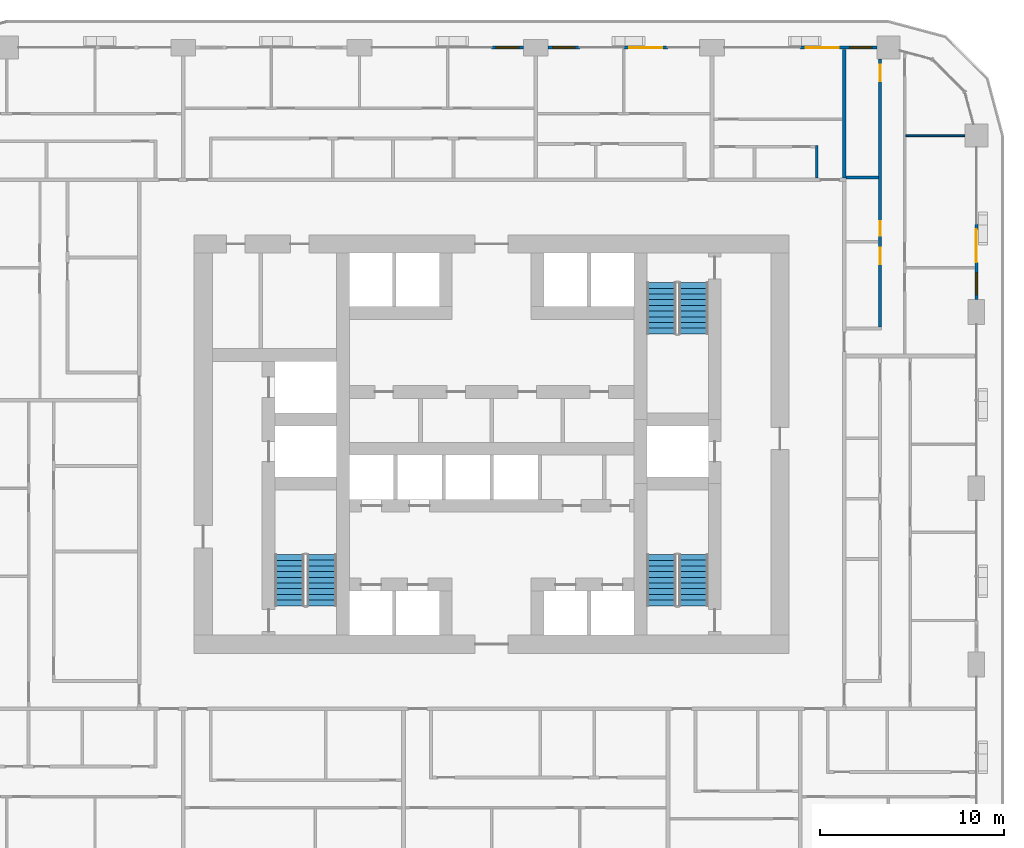
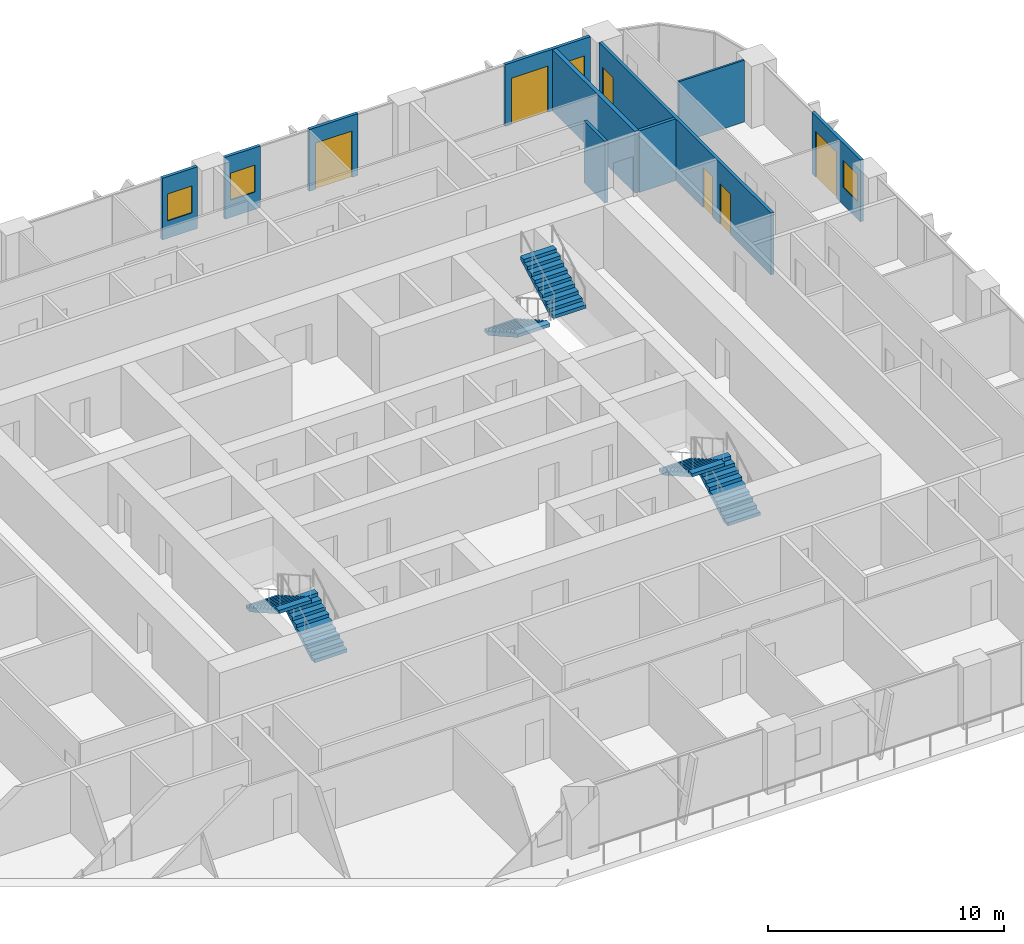
# One storey, part 15 of 21: 10 walls, 6 doors, 6 stair flights, 4 windows, 10 openings, 3 elements without a shape of their own.
"""IFC4 building model written with IfcOpenShell, lengths in metres."""

from ifc_helpers import new_model, si_unit, direction, frame, frame_2d, origin, place, context, subcontext, project, spatial, polyline, rectangle, outline, extrude, material, layer, layer_set, type_object, element, fill, aggregate, save


model = new_model("IFC4")

# Units and contexts
model_context = context("Model", 3, precision=1e-05, world=origin(), true_north=direction((0.0, 1.0)))
body_context = subcontext(model_context, "Body", "Model", "MODEL_VIEW")
ifc_project = project(units=[si_unit("LENGTHUNIT", "METRE"), si_unit("AREAUNIT", "SQUARE_METRE"), si_unit("VOLUMEUNIT", "CUBIC_METRE"), si_unit("PLANEANGLEUNIT", "RADIAN"), si_unit("MASSUNIT", "GRAM", prefix="KILO")], contexts=[model_context])

# Site, building, storey
site_placement = place(None, origin())
site = spatial("IfcSite", under=ifc_project, at=site_placement, CompositionType="ELEMENT")
building_placement = place(site_placement, origin())
building = spatial("IfcBuilding", under=site, at=building_placement, Name="Madar Terraces", CompositionType="ELEMENT")
storey_placement = place(building_placement, frame((0.0, 0.0, 36.39990234375)))
storey = spatial("IfcBuildingStorey", under=building, at=storey_placement, Name="L08", CompositionType="ELEMENT", Elevation=36.39990234375)

# Wall, openings, door, window
ifc_material_1 = material(Name="Aluminium composite panel, black, over insulated backing", Category="aluminium")
ifc_layer_1 = layer(ifc_material_1, 0.14990234375)
ifc_layer_set_1 = layer_set([ifc_layer_1], Name="Facade bay panel 150")
wall_type_1 = type_object("IfcWallType", Name="Facade bay panel 150", PredefinedType="SOLIDWALL", material=ifc_layer_set_1)
wall_1_placement = place(storey_placement, frame((57.60009765625, 34.27490234375, 0.0), z_axis=(0.0, 0.0, 1.0), x_axis=(0.0, 1.0, 0.0)))
wall_1 = element("IfcWall", 1, at=wall_1_placement, inside=storey, type_object=wall_type_1, Name="Facade bay panel", PredefinedType="SOLIDWALL", context=body_context, shape_type="SweptSolid", body=[
    extrude(rectangle(XDim=4.125, YDim=0.14990234375, at=frame_2d((2.0625, 0.0))), origin(), (0.0, 0.0, 1.0), 3.2001953125),
])
opening_1_placement = place(wall_1_placement, frame((0.262451171875, 0.0, 0.89990234375)))
opening_1 = element("IfcOpeningElement", 2, at=opening_1_placement, cuts=wall_1, Name="Opening W1", PredefinedType="OPENING", context=body_context, shape_type="SweptSolid", body=[
    extrude(rectangle(XDim=1.199951171875, YDim=1.39990234375, at=frame_2d((0.60009765625, 0.699951171875))), frame((0.0, 0.0849609375, 0.0), z_axis=(0.0, -1.0, 0.0), x_axis=(1.0, 0.0, 0.0)), (0.0, 0.0, 1.0), 0.169921875),
])
opening_2_placement = place(wall_1_placement, frame((2.02490234375, 0.0, 0.0)))
opening_2 = element("IfcOpeningElement", 3, at=opening_2_placement, cuts=wall_1, Name="Opening ED1", PredefinedType="OPENING", context=body_context, shape_type="SweptSolid", body=[
    extrude(rectangle(XDim=1.800048828125, YDim=2.39990234375, at=frame_2d((0.89990234375, 1.199951171875))), frame((0.0, 0.0849609375, 0.0), z_axis=(0.0, -1.0, 0.0), x_axis=(1.0, 0.0, 0.0)), (0.0, 0.0, 1.0), 0.169921875),
])
ifc_material_2 = material(Name="Glass, clear, with black aluminium frame", Category="aluminium")
door_type_1 = type_object("IfcDoorType", Name="Balcony and terrace sliding door 1800 x 2400", OperationType="SLIDING_TO_LEFT", PredefinedType="DOOR", material=ifc_material_2)
door_1_placement = place(opening_2_placement, origin())
door_1 = element("IfcDoor", 4, at=door_1_placement, inside=storey, type_object=door_type_1, Name="Balcony door", OperationType="SLIDING_TO_RIGHT", OverallHeight=2.39990234375, OverallWidth=1.800048828125, PredefinedType="DOOR", context=body_context, shape_type="SweptSolid", body=[
    extrude(rectangle(XDim=1.800048828125, YDim=2.39990234375, at=frame_2d((0.89990234375, 1.199951171875))), frame((0.0, 0.02490234375, 0.0), z_axis=(0.0, -1.0, 0.0), x_axis=(1.0, 0.0, 0.0)), (0.0, 0.0, 1.0), 0.050048828125),
])
fill(opening_2, door_1)
ifc_material_3 = material(Name="Glass, clear, with black aluminium frame", Category="aluminium")
window_type = type_object("IfcWindowType", Name="Vent window 1200 x 1400", PartitioningType="SINGLE_PANEL", PredefinedType="WINDOW", material=ifc_material_3)
window_1_placement = place(opening_1_placement, origin())
window_1 = element("IfcWindow", 5, at=window_1_placement, inside=storey, type_object=window_type, Name="Operable vent window", OverallHeight=1.39990234375, OverallWidth=1.199951171875, PartitioningType="SINGLE_PANEL", PredefinedType="WINDOW", context=body_context, shape_type="SweptSolid", body=[
    extrude(rectangle(XDim=1.199951171875, YDim=1.39990234375, at=frame_2d((0.60009765625, 0.699951171875))), frame((0.0, 0.030029296875, 0.0), z_axis=(0.0, -1.0, 0.0), x_axis=(1.0, 0.0, 0.0)), (0.0, 0.0, 1.0), 0.06005859375),
])
fill(opening_1, window_1)

wall_2_placement = place(storey_placement, frame((52.175048828125, 48.0, 0.0), z_axis=(0.0, 0.0, 1.0), x_axis=(-1.0, 0.0, 0.0)))
wall_2 = element("IfcWall", 6, at=wall_2_placement, inside=storey, type_object=wall_type_1, Name="Facade bay panel", PredefinedType="SOLIDWALL", context=body_context, shape_type="SweptSolid", body=[
    extrude(rectangle(XDim=4.175048828125, YDim=0.14990234375, at=frame_2d((2.08740234375, 0.0))), origin(), (0.0, 0.0, 1.0), 3.2001953125),
])
opening_3_placement = place(wall_2_placement, frame((0.28759765625, 0.0, 0.89990234375)))
opening_3 = element("IfcOpeningElement", 7, at=opening_3_placement, cuts=wall_2, Name="Opening W1", PredefinedType="OPENING", context=body_context, shape_type="SweptSolid", body=[
    extrude(rectangle(XDim=1.199951171875, YDim=1.39990234375, at=frame_2d((0.60009765625, 0.699951171875))), frame((0.0, 0.0849609375, 0.0), z_axis=(0.0, -1.0, 0.0), x_axis=(1.0, 0.0, 0.0)), (0.0, 0.0, 1.0), 0.169921875),
])
opening_4_placement = place(wall_2_placement, frame((2.074951171875, 0.0, 0.0)))
opening_4 = element("IfcOpeningElement", 8, at=opening_4_placement, cuts=wall_2, Name="Opening ED1", PredefinedType="OPENING", context=body_context, shape_type="SweptSolid", body=[
    extrude(rectangle(XDim=1.800048828125, YDim=2.39990234375, at=frame_2d((0.89990234375, 1.199951171875))), frame((0.0, 0.0849609375, 0.0), z_axis=(0.0, -1.0, 0.0), x_axis=(1.0, 0.0, 0.0)), (0.0, 0.0, 1.0), 0.169921875),
])
door_2_placement = place(opening_4_placement, origin())
door_2 = element("IfcDoor", 9, at=door_2_placement, inside=storey, type_object=door_type_1, Name="Balcony door", OperationType="SLIDING_TO_LEFT", OverallHeight=2.39990234375, OverallWidth=1.800048828125, PredefinedType="DOOR", context=body_context, shape_type="SweptSolid", body=[
    extrude(rectangle(XDim=1.800048828125, YDim=2.39990234375, at=frame_2d((0.89990234375, 1.199951171875))), frame((0.0, 0.02490234375, 0.0), z_axis=(0.0, -1.0, 0.0), x_axis=(1.0, 0.0, 0.0)), (0.0, 0.0, 1.0), 0.050048828125),
])
fill(opening_4, door_2)
window_2_placement = place(opening_3_placement, origin())
window_2 = element("IfcWindow", 10, at=window_2_placement, inside=storey, type_object=window_type, Name="Operable vent window", OverallHeight=1.39990234375, OverallWidth=1.199951171875, PartitioningType="SINGLE_PANEL", PredefinedType="WINDOW", context=body_context, shape_type="SweptSolid", body=[
    extrude(rectangle(XDim=1.199951171875, YDim=1.39990234375, at=frame_2d((0.60009765625, 0.699951171875))), frame((0.0, 0.030029296875, 0.0), z_axis=(0.0, -1.0, 0.0), x_axis=(1.0, 0.0, 0.0)), (0.0, 0.0, 1.0), 0.06005859375),
])
fill(opening_3, window_2)

# Wall, opening, door
wall_3_placement = place(storey_placement, frame((40.800048828125, 48.0, 0.0), z_axis=(0.0, 0.0, 1.0), x_axis=(-1.0, 0.0, 0.0)))
wall_3 = element("IfcWall", 11, at=wall_3_placement, inside=storey, type_object=wall_type_1, Name="Facade bay panel", PredefinedType="SOLIDWALL", context=body_context, shape_type="SweptSolid", body=[
    extrude(rectangle(XDim=2.400146484375, YDim=0.14990234375, at=frame_2d((1.2001953125, 0.0))), origin(), (0.0, 0.0, 1.0), 3.2001953125),
])
opening_5_placement = place(wall_3_placement, frame((0.300048828125, 0.0, 0.0)))
opening_5 = element("IfcOpeningElement", 12, at=opening_5_placement, cuts=wall_3, Name="Opening ED1", PredefinedType="OPENING", context=body_context, shape_type="SweptSolid", body=[
    extrude(rectangle(XDim=1.800048828125, YDim=2.39990234375, at=frame_2d((0.89990234375, 1.199951171875))), frame((0.0, 0.0849609375, 0.0), z_axis=(0.0, -1.0, 0.0), x_axis=(1.0, 0.0, 0.0)), (0.0, 0.0, 1.0), 0.169921875),
])
door_3_placement = place(opening_5_placement, origin())
door_3 = element("IfcDoor", 13, at=door_3_placement, inside=storey, type_object=door_type_1, Name="Balcony door", OperationType="SLIDING_TO_RIGHT", OverallHeight=2.39990234375, OverallWidth=1.800048828125, PredefinedType="DOOR", context=body_context, shape_type="SweptSolid", body=[
    extrude(rectangle(XDim=1.800048828125, YDim=2.39990234375, at=frame_2d((0.89990234375, 1.199951171875))), frame((0.0, 0.02490234375, 0.0), z_axis=(0.0, -1.0, 0.0), x_axis=(1.0, 0.0, 0.0)), (0.0, 0.0, 1.0), 0.050048828125),
])
fill(opening_5, door_3)

# Wall, opening, window
wall_4_placement = place(storey_placement, frame((36.0, 48.0, 0.0), z_axis=(0.0, 0.0, 1.0), x_axis=(-1.0, 0.0, 0.0)))
wall_4 = element("IfcWall", 14, at=wall_4_placement, inside=storey, type_object=wall_type_1, Name="Facade bay panel", PredefinedType="SOLIDWALL", context=body_context, shape_type="SweptSolid", body=[
    extrude(rectangle(XDim=1.72509765625, YDim=0.14990234375, at=frame_2d((0.862548828125, 0.0))), origin(), (0.0, 0.0, 1.0), 3.2001953125),
])
opening_6_placement = place(wall_4_placement, frame((0.262451171875, 0.0, 0.89990234375)))
opening_6 = element("IfcOpeningElement", 15, at=opening_6_placement, cuts=wall_4, Name="Opening W1", PredefinedType="OPENING", context=body_context, shape_type="SweptSolid", body=[
    extrude(rectangle(XDim=1.199951171875, YDim=1.39990234375, at=frame_2d((0.60009765625, 0.699951171875))), frame((0.0, 0.0849609375, 0.0), z_axis=(0.0, -1.0, 0.0), x_axis=(1.0, 0.0, 0.0)), (0.0, 0.0, 1.0), 0.169921875),
])
window_3_placement = place(opening_6_placement, origin())
window_3 = element("IfcWindow", 16, at=window_3_placement, inside=storey, type_object=window_type, Name="Operable vent window", OverallHeight=1.39990234375, OverallWidth=1.199951171875, PartitioningType="SINGLE_PANEL", PredefinedType="WINDOW", context=body_context, shape_type="SweptSolid", body=[
    extrude(rectangle(XDim=1.199951171875, YDim=1.39990234375, at=frame_2d((0.60009765625, 0.699951171875))), frame((0.0, 0.030029296875, 0.0), z_axis=(0.0, -1.0, 0.0), x_axis=(1.0, 0.0, 0.0)), (0.0, 0.0, 1.0), 0.06005859375),
])
fill(opening_6, window_3)

wall_5_placement = place(storey_placement, frame((32.925048828125, 48.0, 0.0), z_axis=(0.0, 0.0, 1.0), x_axis=(-1.0, 0.0, 0.0)))
wall_5 = element("IfcWall", 17, at=wall_5_placement, inside=storey, type_object=wall_type_1, Name="Facade bay panel", PredefinedType="SOLIDWALL", context=body_context, shape_type="SweptSolid", body=[
    extrude(rectangle(XDim=1.72509765625, YDim=0.14990234375, at=frame_2d((0.862548828125, 0.0))), origin(), (0.0, 0.0, 1.0), 3.2001953125),
])
opening_7_placement = place(wall_5_placement, frame((0.262451171875, 0.0, 0.89990234375)))
opening_7 = element("IfcOpeningElement", 18, at=opening_7_placement, cuts=wall_5, Name="Opening W1", PredefinedType="OPENING", context=body_context, shape_type="SweptSolid", body=[
    extrude(rectangle(XDim=1.199951171875, YDim=1.39990234375, at=frame_2d((0.60009765625, 0.699951171875))), frame((0.0, 0.0849609375, 0.0), z_axis=(0.0, -1.0, 0.0), x_axis=(1.0, 0.0, 0.0)), (0.0, 0.0, 1.0), 0.169921875),
])
window_4_placement = place(opening_7_placement, origin())
window_4 = element("IfcWindow", 19, at=window_4_placement, inside=storey, type_object=window_type, Name="Operable vent window", OverallHeight=1.39990234375, OverallWidth=1.199951171875, PartitioningType="SINGLE_PANEL", PredefinedType="WINDOW", context=body_context, shape_type="SweptSolid", body=[
    extrude(rectangle(XDim=1.199951171875, YDim=1.39990234375, at=frame_2d((0.60009765625, 0.699951171875))), frame((0.0, 0.030029296875, 0.0), z_axis=(0.0, -1.0, 0.0), x_axis=(1.0, 0.0, 0.0)), (0.0, 0.0, 1.0), 0.06005859375),
])
fill(opening_7, window_4)

# Walls
ifc_material_4 = material(Name="Gypsum board on steel studs", Category="steel")
ifc_layer_2 = layer(ifc_material_4, 0.10009765625)
ifc_layer_set_2 = layer_set([ifc_layer_2], Name="Flat partition 100")
wall_type_2 = type_object("IfcWallType", Name="Flat partition 100", PredefinedType="PARTITIONING", material=ifc_layer_set_2)
wall_6_placement = place(storey_placement, frame((53.75, 43.199951171875, 0.0), z_axis=(0.0, 0.0, 1.0), x_axis=(1.0, 0.0, 0.0)))
element("IfcWall", 20, at=wall_6_placement, inside=storey, type_object=wall_type_2, Name="Flat partition 100", PredefinedType="PARTITIONING", context=body_context, shape_type="SweptSolid", body=[
    extrude(rectangle(XDim=3.22509765625, YDim=0.10009765625, at=frame_2d((1.612548828125, 0.0))), origin(), (0.0, 0.0, 1.0), 3.2001953125),
])
ifc_material_5 = material(Name="Lightweight blockwork", Category="masonry")
ifc_layer_3 = layer(ifc_material_5, 0.199951171875)
ifc_layer_set_3 = layer_set([ifc_layer_3], Name="Flat party and entrance wall 200")
wall_type_3 = type_object("IfcWallType", Name="Flat party and entrance wall 200", PredefinedType="PARTITIONING", material=ifc_layer_set_3)
wall_7_placement = place(storey_placement, frame((50.39990234375, 40.89990234375, 0.0), z_axis=(0.0, 0.0, 1.0), x_axis=(0.0, 1.0, 0.0)))
element("IfcWall", 21, at=wall_7_placement, inside=storey, type_object=wall_type_3, Name="Flat party and entrance wall 200", PredefinedType="PARTITIONING", context=body_context, shape_type="SweptSolid", body=[
    extrude(rectangle(XDim=7.0, YDim=0.199951171875, at=frame_2d((3.5, 0.0))), origin(), (0.0, 0.0, 1.0), 3.2001953125),
])
ifc_material_6 = material(Name="Lightweight blockwork", Category="masonry")
ifc_layer_4 = layer(ifc_material_6, 0.14990234375)
ifc_layer_set_4 = layer_set([ifc_layer_4], Name="Flat wet-room partition 150")
wall_type_4 = type_object("IfcWallType", Name="Flat wet-room partition 150", PredefinedType="PARTITIONING", material=ifc_layer_set_4)
wall_8_placement = place(storey_placement, frame((50.5, 40.919189453125, 0.0), z_axis=(0.0, 0.0, 1.0), x_axis=(1.0, 0.0, 0.0)))
element("IfcWall", 22, at=wall_8_placement, inside=storey, type_object=wall_type_4, Name="Flat wet-room partition 150", PredefinedType="PARTITIONING", context=body_context, shape_type="SweptSolid", body=[
    extrude(rectangle(XDim=1.77490234375, YDim=0.14990234375, at=frame_2d((0.887451171875, 0.0))), origin(), (0.0, 0.0, 1.0), 3.2001953125),
])

# Wall, openings, doors
wall_9_placement = place(storey_placement, frame((52.35009765625, 32.77490234375, 0.0), z_axis=(0.0, 0.0, 1.0), x_axis=(0.0, 1.0, 0.0)))
wall_9 = element("IfcWall", 23, at=wall_9_placement, inside=storey, type_object=wall_type_4, Name="Flat wet-room partition 150", PredefinedType="PARTITIONING", context=body_context, shape_type="SweptSolid", body=[
    extrude(rectangle(XDim=14.60009765625, YDim=0.14990234375, at=frame_2d((7.300048828125, 0.0))), origin(), (0.0, 0.0, 1.0), 3.2001953125),
])
opening_8_placement = place(wall_9_placement, frame((3.4287109375, 0.0, 0.0)))
opening_8 = element("IfcOpeningElement", 24, at=opening_8_placement, cuts=wall_9, Name="Opening D5", PredefinedType="OPENING", context=body_context, shape_type="SweptSolid", body=[
    extrude(rectangle(XDim=0.89990234375, YDim=2.10009765625, at=frame_2d((0.449951171875, 1.050048828125))), frame((0.0, 0.0849609375, 0.0), z_axis=(0.0, -1.0, 0.0), x_axis=(1.0, 0.0, 0.0)), (0.0, 0.0, 1.0), 0.169921875),
])
opening_9_placement = place(wall_9_placement, frame((4.978759765625, 0.0, 0.0)))
opening_9 = element("IfcOpeningElement", 25, at=opening_9_placement, cuts=wall_9, Name="Opening D4", PredefinedType="OPENING", context=body_context, shape_type="SweptSolid", body=[
    extrude(rectangle(XDim=0.800048828125, YDim=2.10009765625, at=frame_2d((0.39990234375, 1.050048828125))), frame((0.0, 0.0849609375, 0.0), z_axis=(0.0, -1.0, 0.0), x_axis=(1.0, 0.0, 0.0)), (0.0, 0.0, 1.0), 0.169921875),
])
opening_10_placement = place(wall_9_placement, frame((13.39990234375, 0.0, 0.0)))
opening_10 = element("IfcOpeningElement", 26, at=opening_10_placement, cuts=wall_9, Name="Opening D2", PredefinedType="OPENING", context=body_context, shape_type="SweptSolid", body=[
    extrude(rectangle(XDim=0.89990234375, YDim=2.10009765625, at=frame_2d((0.449951171875, 1.050048828125))), frame((0.0, 0.0849609375, 0.0), z_axis=(0.0, -1.0, 0.0), x_axis=(1.0, 0.0, 0.0)), (0.0, 0.0, 1.0), 0.169921875),
])
ifc_material_7 = material(Name="Timber door leaf", Category="wood")
door_type_2 = type_object("IfcDoorType", Name="Flat accessible bathroom door 900", OperationType="NOTDEFINED", PredefinedType="DOOR", material=ifc_material_7)
door_4_placement = place(opening_8_placement, origin())
door_4 = element("IfcDoor", 27, at=door_4_placement, inside=storey, type_object=door_type_2, Name="Flat accessible bathroom door 900", OperationType="SINGLE_SWING_RIGHT", OverallHeight=2.10009765625, OverallWidth=0.89990234375, PredefinedType="DOOR", context=body_context, shape_type="SweptSolid", body=[
    extrude(rectangle(XDim=0.89990234375, YDim=2.10009765625, at=frame_2d((0.449951171875, 1.050048828125))), frame((0.0, 0.02490234375, 0.0), z_axis=(0.0, -1.0, 0.0), x_axis=(1.0, 0.0, 0.0)), (0.0, 0.0, 1.0), 0.050048828125),
])
fill(opening_8, door_4)
ifc_material_8 = material(Name="Timber door leaf", Category="wood")
door_type_3 = type_object("IfcDoorType", Name="Flat bathroom door 800", OperationType="NOTDEFINED", PredefinedType="DOOR", material=ifc_material_8)
door_5_placement = place(opening_9_placement, origin())
door_5 = element("IfcDoor", 28, at=door_5_placement, inside=storey, type_object=door_type_3, Name="Flat bathroom door 800", OperationType="SINGLE_SWING_LEFT", OverallHeight=2.10009765625, OverallWidth=0.800048828125, PredefinedType="DOOR", context=body_context, shape_type="SweptSolid", body=[
    extrude(rectangle(XDim=0.800048828125, YDim=2.10009765625, at=frame_2d((0.39990234375, 1.050048828125))), frame((0.0, 0.02490234375, 0.0), z_axis=(0.0, -1.0, 0.0), x_axis=(1.0, 0.0, 0.0)), (0.0, 0.0, 1.0), 0.050048828125),
])
fill(opening_9, door_5)
ifc_material_9 = material(Name="Timber door leaf", Category="wood")
door_type_4 = type_object("IfcDoorType", Name="Flat room door 900", OperationType="NOTDEFINED", PredefinedType="DOOR", material=ifc_material_9)
door_6_placement = place(opening_10_placement, origin())
door_6 = element("IfcDoor", 29, at=door_6_placement, inside=storey, type_object=door_type_4, Name="Flat room door 900", OperationType="SINGLE_SWING_RIGHT", OverallHeight=2.10009765625, OverallWidth=0.89990234375, PredefinedType="DOOR", context=body_context, shape_type="SweptSolid", body=[
    extrude(rectangle(XDim=0.89990234375, YDim=2.10009765625, at=frame_2d((0.449951171875, 1.050048828125))), frame((0.0, 0.02490234375, 0.0), z_axis=(0.0, -1.0, 0.0), x_axis=(1.0, 0.0, 0.0)), (0.0, 0.0, 1.0), 0.050048828125),
])
fill(opening_10, door_6)

# Wall
wall_10_placement = place(storey_placement, frame((48.89990234375, 40.89990234375, 0.0), z_axis=(0.0, 0.0, 1.0), x_axis=(0.0, 1.0, 0.0)))
element("IfcWall", 30, at=wall_10_placement, inside=storey, type_object=wall_type_4, Name="Flat wet-room partition 150", PredefinedType="PARTITIONING", context=body_context, shape_type="SweptSolid", body=[
    extrude(rectangle(XDim=1.775146484375, YDim=0.14990234375, at=frame_2d((0.8876953125, 0.0))), origin(), (0.0, 0.0, 1.0), 3.2001953125),
])

# Stair, stair flights
ifc_material_10 = material(Name="Concrete C50/60", Category="concrete")
stair_type_1 = type_object("IfcStairType", Name="Stair ST1 protected exit", PredefinedType="HALF_TURN_STAIR", material=ifc_material_10)
stair_1_placement = place(storey_placement, origin())
stair_1 = element("IfcStair", 31, at=stair_1_placement, inside=storey, type_object=stair_type_1, Name="L08 Protected Exit Stair ST1", PredefinedType="HALF_TURN_STAIR")
ifc_material_11 = material(Name="Concrete C50/60", Category="concrete")
stair_flight_type_1 = type_object("IfcStairFlightType", Name="Stair flight ST1-F4, 1600 wide, 10 risers", PredefinedType="STRAIGHT", material=ifc_material_11)
stair_flight_1_placement = place(storey_placement, frame((21.949951171875, 17.60009765625, 0.0), z_axis=(0.0, 0.0, 1.0), x_axis=(0.0, 1.0, 0.0)))
stair_flight_1 = element("IfcStairFlight", 32, at=stair_flight_1_placement, type_object=stair_flight_type_1, Name="ST1 flight 1", NumberOfRisers=10, NumberOfTreads=9, PredefinedType="STRAIGHT", RiserHeight=0.175, TreadLength=0.31, context=body_context, shape_type="SweptSolid", body=[
    extrude(outline(polyline([(0.0, 0.0), (0.0, 0.175048828125), (0.31005859375, 0.175048828125), (0.31005859375, 0.35009765625), (0.6201171875, 0.35009765625), (0.6201171875, 0.52490234375), (0.929931640625, 0.52490234375), (0.929931640625, 0.699951171875), (1.239990234375, 0.699951171875), (1.239990234375, 0.875), (1.550048828125, 0.875), (1.550048828125, 1.050048828125), (1.860107421875, 1.050048828125), (1.860107421875, 1.22509765625), (2.169921875, 1.22509765625), (2.169921875, 1.39990234375), (2.47998046875, 1.39990234375), (2.47998046875, 1.574951171875), (2.7900390625, 1.574951171875), (2.7900390625, 1.75), (2.7900390625, 1.40283203125), (0.304931640625, 0.0), (0.0, 0.0)])), frame((0.0, 0.800048828125, 0.0), z_axis=(0.0, -1.0, 0.0), x_axis=(1.0, 0.0, 0.0)), (0.0, 0.0, 1.0), 1.60009765625),
])
stair_flight_2_placement = place(storey_placement, frame((20.199951171875, 20.389892578125, 1.75), z_axis=(0.0, 0.0, 1.0), x_axis=(0.0, -1.0, 0.0)))
stair_flight_2 = element("IfcStairFlight", 33, at=stair_flight_2_placement, type_object=stair_flight_type_1, Name="ST1 flight 2", NumberOfRisers=10, NumberOfTreads=9, PredefinedType="STRAIGHT", RiserHeight=0.175, TreadLength=0.31, context=body_context, shape_type="SweptSolid", body=[
    extrude(outline(polyline([(0.0, 0.0), (0.0, 0.175048828125), (0.31005859375, 0.175048828125), (0.31005859375, 0.35009765625), (0.6201171875, 0.35009765625), (0.6201171875, 0.52490234375), (0.929931640625, 0.52490234375), (0.929931640625, 0.699951171875), (1.239990234375, 0.699951171875), (1.239990234375, 0.875), (1.550048828125, 0.875), (1.550048828125, 1.050048828125), (1.860107421875, 1.050048828125), (1.860107421875, 1.22509765625), (2.169921875, 1.22509765625), (2.169921875, 1.39990234375), (2.47998046875, 1.39990234375), (2.47998046875, 1.574951171875), (2.7900390625, 1.574951171875), (2.7900390625, 1.75), (2.7900390625, 1.40283203125), (0.304931640625, 0.0), (0.0, 0.0)])), frame((0.0, 0.800048828125, 0.0), z_axis=(0.0, -1.0, 0.0), x_axis=(1.0, 0.0, 0.0)), (0.0, 0.0, 1.0), 1.60009765625),
])
aggregate(stair_1, [stair_flight_1, stair_flight_2])

ifc_material_12 = material(Name="Concrete C50/60", Category="concrete")
stair_type_2 = type_object("IfcStairType", Name="Stair ST2 protected exit", PredefinedType="HALF_TURN_STAIR", material=ifc_material_12)
stair_2_placement = place(storey_placement, origin())
stair_2 = element("IfcStair", 34, at=stair_2_placement, inside=storey, type_object=stair_type_2, Name="L08 Protected Exit Stair ST2", PredefinedType="HALF_TURN_STAIR")
ifc_material_13 = material(Name="Concrete C50/60", Category="concrete")
stair_flight_type_2 = type_object("IfcStairFlightType", Name="Stair flight ST2-F4, 1600 wide, 10 risers", PredefinedType="STRAIGHT", material=ifc_material_13)
stair_flight_3_placement = place(storey_placement, frame((40.449951171875, 35.199951171875, 0.0), z_axis=(0.0, 0.0, 1.0), x_axis=(0.0, -1.0, 0.0)))
stair_flight_3 = element("IfcStairFlight", 35, at=stair_flight_3_placement, type_object=stair_flight_type_2, Name="ST2 flight 1", NumberOfRisers=10, NumberOfTreads=9, PredefinedType="STRAIGHT", RiserHeight=0.175, TreadLength=0.31, context=body_context, shape_type="SweptSolid", body=[
    extrude(outline(polyline([(0.0, 0.0), (0.0, 0.175048828125), (0.31005859375, 0.175048828125), (0.31005859375, 0.35009765625), (0.6201171875, 0.35009765625), (0.6201171875, 0.52490234375), (0.929931640625, 0.52490234375), (0.929931640625, 0.699951171875), (1.239990234375, 0.699951171875), (1.239990234375, 0.875), (1.550048828125, 0.875), (1.550048828125, 1.050048828125), (1.860107421875, 1.050048828125), (1.860107421875, 1.22509765625), (2.169921875, 1.22509765625), (2.169921875, 1.39990234375), (2.47998046875, 1.39990234375), (2.47998046875, 1.574951171875), (2.7900390625, 1.574951171875), (2.7900390625, 1.75), (2.7900390625, 1.40283203125), (0.304931640625, 0.0), (0.0, 0.0)])), frame((0.0, 0.800048828125, 0.0), z_axis=(0.0, -1.0, 0.0), x_axis=(1.0, 0.0, 0.0)), (0.0, 0.0, 1.0), 1.60009765625),
])
stair_flight_4_placement = place(storey_placement, frame((42.199951171875, 32.409912109375, 1.75), z_axis=(0.0, 0.0, 1.0), x_axis=(0.0, 1.0, 0.0)))
stair_flight_4 = element("IfcStairFlight", 36, at=stair_flight_4_placement, type_object=stair_flight_type_2, Name="ST2 flight 2", NumberOfRisers=10, NumberOfTreads=9, PredefinedType="STRAIGHT", RiserHeight=0.175, TreadLength=0.31, context=body_context, shape_type="SweptSolid", body=[
    extrude(outline(polyline([(0.0, 0.0), (0.0, 0.175048828125), (0.31005859375, 0.175048828125), (0.31005859375, 0.35009765625), (0.6201171875, 0.35009765625), (0.6201171875, 0.52490234375), (0.929931640625, 0.52490234375), (0.929931640625, 0.699951171875), (1.239990234375, 0.699951171875), (1.239990234375, 0.875), (1.550048828125, 0.875), (1.550048828125, 1.050048828125), (1.860107421875, 1.050048828125), (1.860107421875, 1.22509765625), (2.169921875, 1.22509765625), (2.169921875, 1.39990234375), (2.47998046875, 1.39990234375), (2.47998046875, 1.574951171875), (2.7900390625, 1.574951171875), (2.7900390625, 1.75), (2.7900390625, 1.40283203125), (0.304931640625, 0.0), (0.0, 0.0)])), frame((0.0, 0.800048828125, 0.0), z_axis=(0.0, -1.0, 0.0), x_axis=(1.0, 0.0, 0.0)), (0.0, 0.0, 1.0), 1.60009765625),
])
aggregate(stair_2, [stair_flight_3, stair_flight_4])

ifc_material_14 = material(Name="Concrete C50/60", Category="concrete")
stair_type_3 = type_object("IfcStairType", Name="Stair ST3 protected exit", PredefinedType="HALF_TURN_STAIR", material=ifc_material_14)
stair_3_placement = place(storey_placement, origin())
stair_3 = element("IfcStair", 37, at=stair_3_placement, inside=storey, type_object=stair_type_3, Name="L08 Protected Exit Stair ST3", PredefinedType="HALF_TURN_STAIR")
ifc_material_15 = material(Name="Concrete C50/60", Category="concrete")
stair_flight_type_3 = type_object("IfcStairFlightType", Name="Stair flight ST3-F4, 1600 wide, 10 risers", PredefinedType="STRAIGHT", material=ifc_material_15)
stair_flight_5_placement = place(storey_placement, frame((42.199951171875, 17.60009765625, 0.0), z_axis=(0.0, 0.0, 1.0), x_axis=(0.0, 1.0, 0.0)))
stair_flight_5 = element("IfcStairFlight", 38, at=stair_flight_5_placement, type_object=stair_flight_type_3, Name="ST3 flight 1", NumberOfRisers=10, NumberOfTreads=9, PredefinedType="STRAIGHT", RiserHeight=0.175, TreadLength=0.31, context=body_context, shape_type="SweptSolid", body=[
    extrude(outline(polyline([(0.0, 0.0), (0.0, 0.175048828125), (0.31005859375, 0.175048828125), (0.31005859375, 0.35009765625), (0.6201171875, 0.35009765625), (0.6201171875, 0.52490234375), (0.929931640625, 0.52490234375), (0.929931640625, 0.699951171875), (1.239990234375, 0.699951171875), (1.239990234375, 0.875), (1.550048828125, 0.875), (1.550048828125, 1.050048828125), (1.860107421875, 1.050048828125), (1.860107421875, 1.22509765625), (2.169921875, 1.22509765625), (2.169921875, 1.39990234375), (2.47998046875, 1.39990234375), (2.47998046875, 1.574951171875), (2.7900390625, 1.574951171875), (2.7900390625, 1.75), (2.7900390625, 1.40283203125), (0.304931640625, 0.0), (0.0, 0.0)])), frame((0.0, 0.800048828125, 0.0), z_axis=(0.0, -1.0, 0.0), x_axis=(1.0, 0.0, 0.0)), (0.0, 0.0, 1.0), 1.60009765625),
])
stair_flight_6_placement = place(storey_placement, frame((40.449951171875, 20.389892578125, 1.75), z_axis=(0.0, 0.0, 1.0), x_axis=(0.0, -1.0, 0.0)))
stair_flight_6 = element("IfcStairFlight", 39, at=stair_flight_6_placement, type_object=stair_flight_type_3, Name="ST3 flight 2", NumberOfRisers=10, NumberOfTreads=9, PredefinedType="STRAIGHT", RiserHeight=0.175, TreadLength=0.31, context=body_context, shape_type="SweptSolid", body=[
    extrude(outline(polyline([(0.0, 0.0), (0.0, 0.175048828125), (0.31005859375, 0.175048828125), (0.31005859375, 0.35009765625), (0.6201171875, 0.35009765625), (0.6201171875, 0.52490234375), (0.929931640625, 0.52490234375), (0.929931640625, 0.699951171875), (1.239990234375, 0.699951171875), (1.239990234375, 0.875), (1.550048828125, 0.875), (1.550048828125, 1.050048828125), (1.860107421875, 1.050048828125), (1.860107421875, 1.22509765625), (2.169921875, 1.22509765625), (2.169921875, 1.39990234375), (2.47998046875, 1.39990234375), (2.47998046875, 1.574951171875), (2.7900390625, 1.574951171875), (2.7900390625, 1.75), (2.7900390625, 1.40283203125), (0.304931640625, 0.0), (0.0, 0.0)])), frame((0.0, 0.800048828125, 0.0), z_axis=(0.0, -1.0, 0.0), x_axis=(1.0, 0.0, 0.0)), (0.0, 0.0, 1.0), 1.60009765625),
])
aggregate(stair_3, [stair_flight_5, stair_flight_6])

save(model, "model.ifc")
